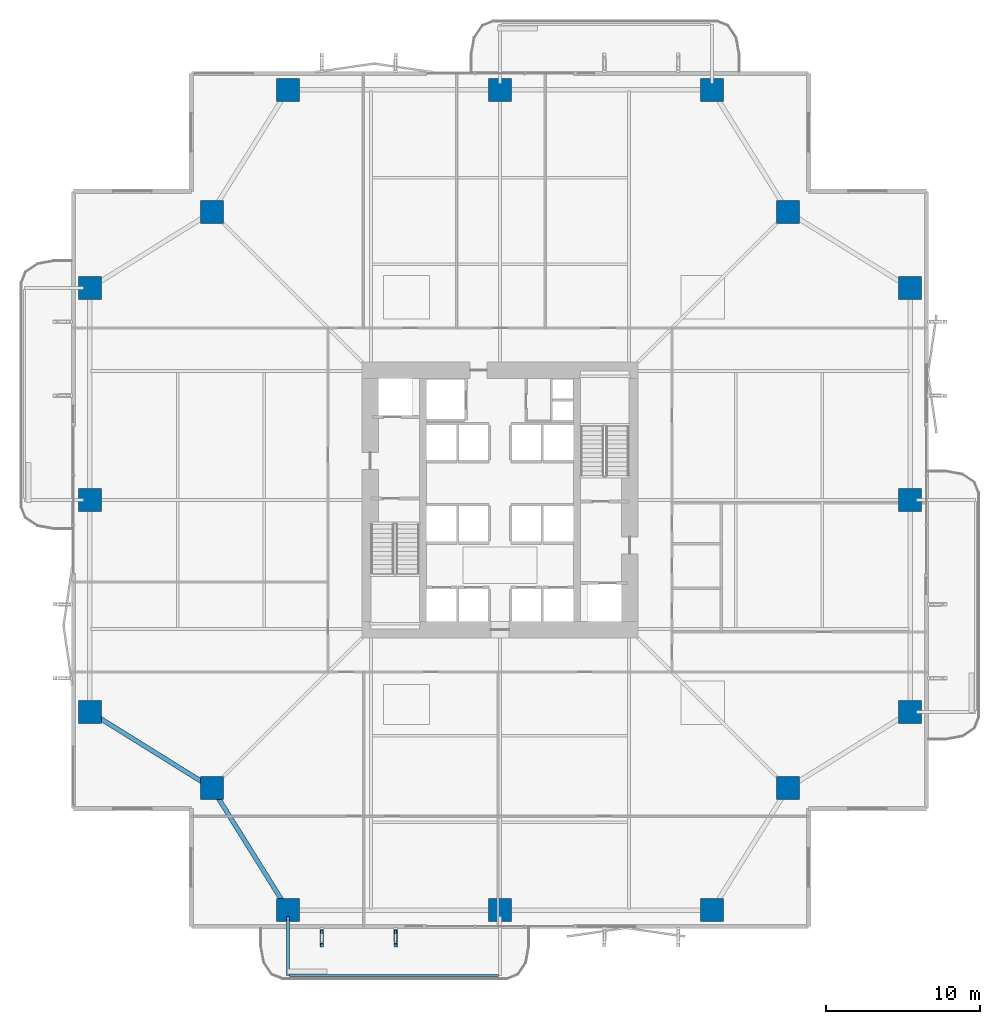
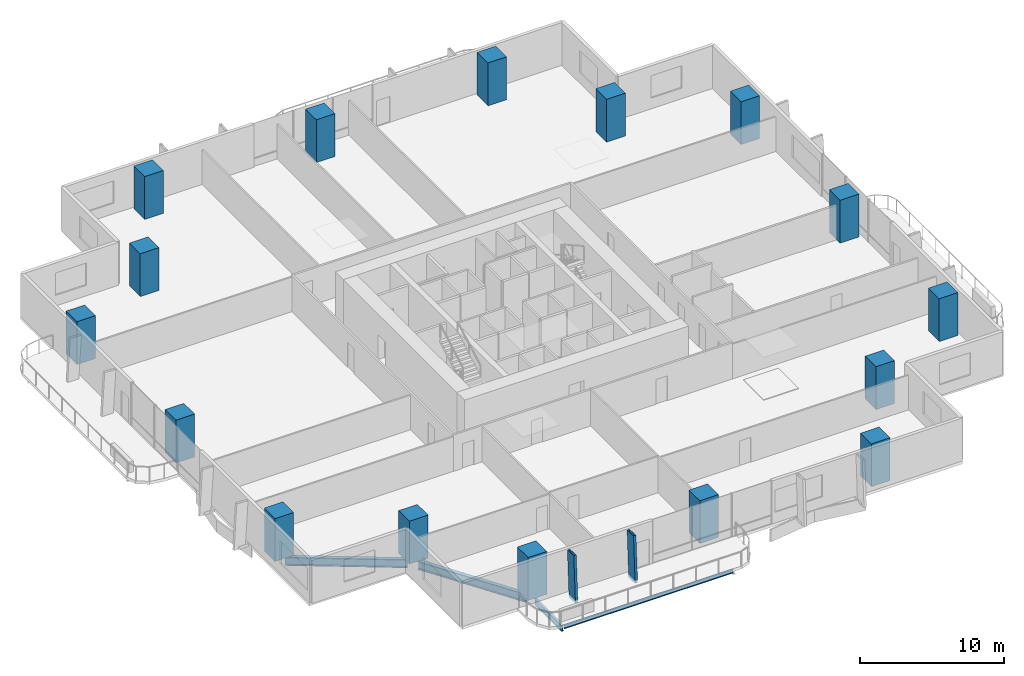
# One storey, part 1 of 23: 16 columns, 4 beams, 2 members.
"""IFC4 building model written with IfcOpenShell, lengths in metres."""

from ifc_helpers import new_model, si_unit, direction, frame, origin, origin_2d, place, context, subcontext, project, spatial, rectangle, hollow_rectangle, i_section, extrude, material, material_profile, profile_set, type_object, element, save


model = new_model("IFC4")

# Units and contexts
model_context = context("Model", 3, precision=1e-05, world=origin(), true_north=direction((0.0, 1.0)))
body_context = subcontext(model_context, "Body", "Model", "MODEL_VIEW")
ifc_project = project(units=[si_unit("LENGTHUNIT", "METRE"), si_unit("AREAUNIT", "SQUARE_METRE"), si_unit("VOLUMEUNIT", "CUBIC_METRE"), si_unit("PLANEANGLEUNIT", "RADIAN"), si_unit("MASSUNIT", "GRAM", prefix="KILO")], contexts=[model_context])

# Site, building, storey
site_placement = place(None, origin())
site = spatial("IfcSite", under=ifc_project, at=site_placement, CompositionType="ELEMENT")
building_placement = place(site_placement, origin())
building = spatial("IfcBuilding", under=site, at=building_placement, Name="Belovzor Exchange Tower", CompositionType="ELEMENT")
storey_placement = place(building_placement, frame((0.0, 0.0, 88.5)))
storey = spatial("IfcBuildingStorey", under=building, at=storey_placement, Name="L21", CompositionType="ELEMENT", Elevation=88.5)

# Columns
ifc_material_1 = material(Name="Concrete C60/75", Category="concrete")
ifc_material_profile_1 = material_profile(ifc_material_1, rectangle(XDim=1.5, YDim=1.5, at=origin_2d()))
ifc_profile_set_1 = profile_set([ifc_material_profile_1], Name="Concrete C60/75")
column_type = type_object("IfcColumnType", Name="Reinforced Concrete Tower Column 1500x1500", PredefinedType="COLUMN", material=ifc_profile_set_1)
for number, where, z_axis, x_axis, name in (
    (1, (15.0, 2.10009765625, 0.0029296875), (0.0, 0.0, 1.0), (1.0, 0.0, 0.0), "COL-T150 Reinforced Concrete Tower Column 1500x1500"),
    (2, (28.800048828125, 2.10009765625, 0.0029296875), (0.0, 0.0, 1.0), (1.0, 0.0, 0.0), "COL-T150 Reinforced Concrete Tower Column 1500x1500"),
    (3, (42.60009765625, 2.10009765625, 0.0029296875), (0.0, 0.0, 1.0), (1.0, 0.0, 0.0), "COL-T150 Reinforced Concrete Tower Column 1500x1500"),
    (4, (55.5, 15.0, 0.0029296875), (0.0, 0.0, 1.0), (1.0, 0.0, 0.0), "COL-T150 Reinforced Concrete Tower Column 1500x1500"),
    (5, (55.5, 28.800048828125, 0.0029296875), (0.0, 0.0, 1.0), (1.0, 0.0, 0.0), "COL-T150 Reinforced Concrete Tower Column 1500x1500"),
    (6, (55.5, 42.60009765625, 0.0029296875), (0.0, 0.0, 1.0), (1.0, 0.0, 0.0), "COL-T150 Reinforced Concrete Tower Column 1500x1500"),
    (7, (42.60009765625, 55.5, 0.0029296875), (0.0, 0.0, 1.0), (1.0, 0.0, 0.0), "COL-T150 Reinforced Concrete Tower Column 1500x1500"),
    (8, (28.800048828125, 55.5, 0.0029296875), (0.0, 0.0, 1.0), (1.0, 0.0, 0.0), "COL-T150 Reinforced Concrete Tower Column 1500x1500"),
    (9, (15.0, 55.5, 0.0029296875), (0.0, 0.0, 1.0), (1.0, 0.0, 0.0), "COL-T150 Reinforced Concrete Tower Column 1500x1500"),
    (10, (2.10009765625, 42.60009765625, 0.0029296875), (0.0, 0.0, 1.0), (1.0, 0.0, 0.0), "COL-T150 Reinforced Concrete Tower Column 1500x1500"),
    (11, (2.10009765625, 28.800048828125, 0.0029296875), (0.0, 0.0, 1.0), (1.0, 0.0, 0.0), "COL-T150 Reinforced Concrete Tower Column 1500x1500"),
    (12, (2.10009765625, 15.0, 0.0029296875), (0.0, 0.0, 1.0), (1.0, 0.0, 0.0), "COL-T150 Reinforced Concrete Tower Column 1500x1500"),
    (13, (10.050048828125, 10.050048828125, 0.0029296875), (0.0, 0.0, 1.0), (1.0, 0.0, 0.0), "COL-T150 Reinforced Concrete Tower Column 1500x1500"),
    (14, (47.550048828125, 10.050048828125, 0.0029296875), (0.0, 0.0, 1.0), (1.0, 0.0, 0.0), "COL-T150 Reinforced Concrete Tower Column 1500x1500"),
    (15, (47.550048828125, 47.550048828125, 0.0029296875), (0.0, 0.0, 1.0), (1.0, 0.0, 0.0), "COL-T150 Reinforced Concrete Tower Column 1500x1500"),
    (16, (10.050048828125, 47.550048828125, 0.0029296875), (0.0, 0.0, 1.0), (1.0, 0.0, 0.0), "COL-T150 Reinforced Concrete Tower Column 1500x1500"),
):
    element("IfcColumn", number, at=place(storey_placement, frame(where, z_axis=z_axis, x_axis=x_axis)), inside=storey, type_object=column_type, Name=name, PredefinedType="COLUMN", context=body_context, shape_type="SweptSolid", body=[
        extrude(rectangle(XDim=1.5, YDim=1.5, at=origin_2d()), origin(), (0.0, 0.0, 1.0), 3.64404296875),
    ])

# Beams
ifc_material_2 = material(Name="Steel S355", Category="steel")
ifc_material_profile_2 = material_profile(ifc_material_2, i_section(OverallWidth=0.199951171875, OverallDepth=0.5, WebThickness=0.01025390625, FlangeThickness=0.01611328125, at=origin_2d()))
ifc_profile_set_2 = profile_set([ifc_material_profile_2], Name="Steel S355")
beam_type_1 = type_object("IfcBeamType", Name="Planted Balcony Cantilever Beam IPE 500", PredefinedType="BEAM", material=ifc_profile_set_2)
beam_1_placement = place(storey_placement, frame((15.0, 1.68798828125, -0.5), z_axis=(0.0, -1.0, 0.0), x_axis=(1.0, 0.0, 0.0)))
element("IfcBeam", 17, at=beam_1_placement, inside=storey, type_object=beam_type_1, Name="BC-500 Planted Balcony Cantilever Beam IPE 500", PredefinedType="BEAM", context=body_context, shape_type="SweptSolid", body=[
    extrude(i_section(OverallWidth=0.199951171875, OverallDepth=0.5, WebThickness=0.01025390625, FlangeThickness=0.01611328125, at=origin_2d()), origin(), (0.0, 0.0, 1.0), 3.85009765625),
])
ifc_material_3 = material(Name="Steel S355", Category="steel")
ifc_material_profile_3 = material_profile(ifc_material_3, i_section(OverallWidth=0.14990234375, OverallDepth=0.300048828125, WebThickness=0.007080078125, FlangeThickness=0.0107421875, at=origin_2d()))
ifc_profile_set_3 = profile_set([ifc_material_profile_3], Name="Steel S355")
beam_type_2 = type_object("IfcBeamType", Name="Planted Balcony Fascia Edge Beam IPE 300", PredefinedType="BEAM", material=ifc_profile_set_3)
beam_2_placement = place(storey_placement, frame((15.10009765625, -2.162109375, -0.39990234375), z_axis=(1.0, 0.0, 0.0), x_axis=(0.0, 1.0, 0.0)))
element("IfcBeam", 18, at=beam_2_placement, inside=storey, type_object=beam_type_2, Name="BC-300 Planted Balcony Fascia Edge Beam IPE 300", PredefinedType="BEAM", context=body_context, shape_type="SweptSolid", body=[
    extrude(i_section(OverallWidth=0.14990234375, OverallDepth=0.300048828125, WebThickness=0.007080078125, FlangeThickness=0.0107421875, at=origin_2d()), origin(), (0.0, 0.0, 1.0), 13.599853515625),
])

# Members
ifc_material_4 = material(Name="Extruded Architectural Terracotta on Steel S355 Carrier", Category="masonry")
ifc_material_profile_4 = material_profile(ifc_material_4, hollow_rectangle(XDim=0.199951171875, YDim=0.89990234375, WallThickness=0.011962890625, at=origin_2d()))
ifc_profile_set_4 = profile_set([ifc_material_profile_4], Name="Extruded Architectural Terracotta on Steel S355 Carrier")
member_type = type_object("IfcMemberType", Name="Sweeping Terracotta Baguette Fin Assembly 1250", PredefinedType="USERDEFINED", material=ifc_profile_set_4)
for number, where, z_axis, x_axis, name in (
    (19, (17.199951171875, 0.14990234375, -0.25), (0.0, 0.0576228887, 0.998338420926), (-1.0, 0.0, 0.0), "FIN-TC125 Terracotta Facade Fin L21 S1"),
    (20, (22.0, 0.14990234375, -0.25), (0.0, 0.0576228887, 0.998338420926), (-1.0, 0.0, 0.0), "FIN-TC125 Terracotta Facade Fin L21 S2"),
):
    element("IfcMember", number, at=place(storey_placement, frame(where, z_axis=z_axis, x_axis=x_axis)), inside=storey, type_object=member_type, Name=name, ObjectType="FIN", PredefinedType="USERDEFINED", context=body_context, shape_type="SweptSolid", body=[
        extrude(hollow_rectangle(XDim=0.199951171875, YDim=0.89990234375, WallThickness=0.011962890625, at=origin_2d()), origin(), (0.0, 0.0, 1.0), 3.906494140625),
    ])

# Beams
ifc_material_5 = material(Name="Steel S355", Category="steel")
ifc_material_profile_5 = material_profile(ifc_material_5, i_section(OverallWidth=0.300048828125, OverallDepth=0.699951171875, WebThickness=0.01708984375, FlangeThickness=0.031982421875, at=origin_2d()))
ifc_profile_set_5 = profile_set([ifc_material_profile_5], Name="Steel S355")
beam_type_3 = type_object("IfcBeamType", Name="Zone 1 Primary Perimeter Girder HEB 700", PredefinedType="BEAM", material=ifc_profile_set_5)
for number, where, z_axis, x_axis, name in (
    (21, (10.26806640625, 9.699951171875, -0.60009765625), (0.528538629686, -0.848909251292, 0.0), (0.848909251292, 0.528538629686, 0.0), "FG-Z1 Zone 1 Primary Perimeter Girder HEB 700"),
    (22, (2.449951171875, 14.781982421875, -0.60009765625), (0.848909251292, -0.528538629686, 0.0), (0.528538629686, 0.848909251292, 0.0), "FG-Z1 Zone 1 Primary Perimeter Girder HEB 700"),
):
    element("IfcBeam", number, at=place(storey_placement, frame(where, z_axis=z_axis, x_axis=x_axis)), inside=storey, type_object=beam_type_3, Name=name, PredefinedType="BEAM", context=body_context, shape_type="SweptSolid", body=[
        extrude(i_section(OverallWidth=0.300048828125, OverallDepth=0.699951171875, WebThickness=0.01708984375, FlangeThickness=0.031982421875, at=origin_2d()), origin(), (0.0, 0.0, 1.0), 8.540283203125),
    ])

save(model, "model.ifc")
